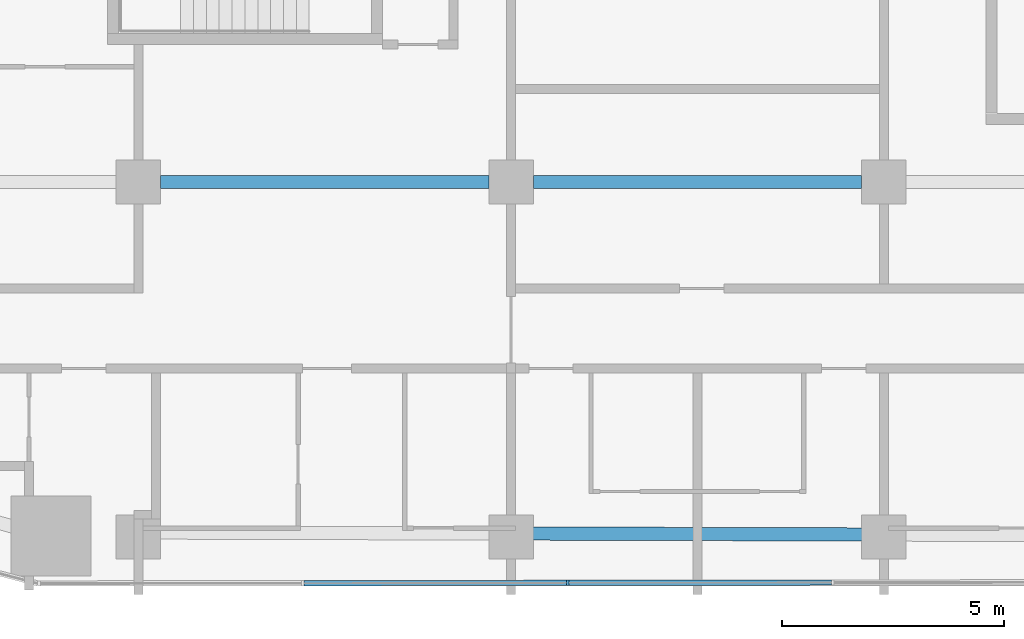
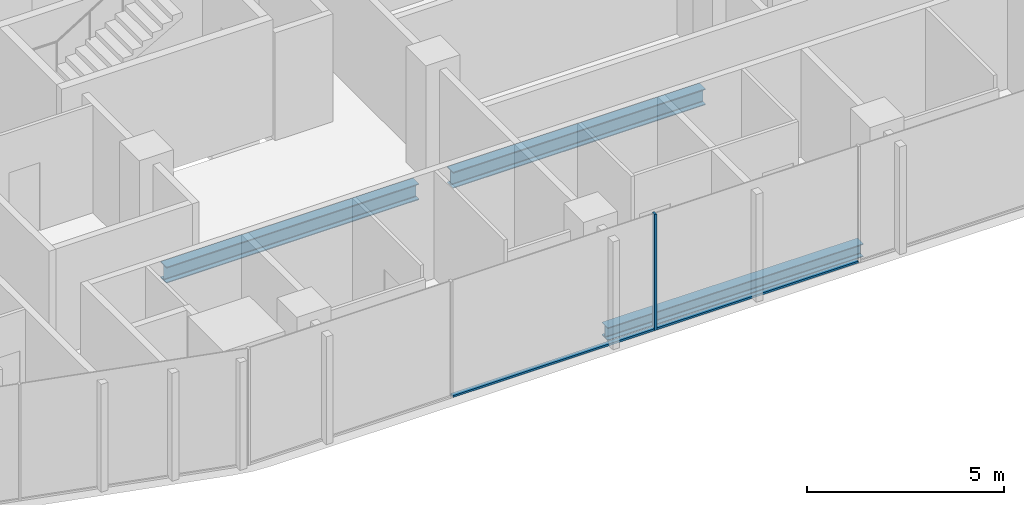
# One storey, part 3 of 26: 3 beams, 3 members, 1 element without a shape of its own.
"""IFC4 building model written with IfcOpenShell, lengths in metres."""

from ifc_helpers import new_model, si_unit, direction, frame, origin, origin_2d, place, context, subcontext, project, spatial, rectangle, i_section, extrude, material, layer, layer_set, material_profile, profile_set, type_object, element, aggregate, save


model = new_model("IFC4")

# Units and contexts
model_context = context("Model", 3, precision=1e-05, world=origin(), true_north=direction((0.0, 1.0)))
body_context = subcontext(model_context, "Body", "Model", "MODEL_VIEW")
ifc_project = project(units=[si_unit("LENGTHUNIT", "METRE"), si_unit("AREAUNIT", "SQUARE_METRE"), si_unit("VOLUMEUNIT", "CUBIC_METRE"), si_unit("PLANEANGLEUNIT", "RADIAN"), si_unit("MASSUNIT", "GRAM", prefix="KILO")], contexts=[model_context])

# Site, building, storey
site_placement = place(None, origin())
site = spatial("IfcSite", under=ifc_project, at=site_placement, CompositionType="ELEMENT")
building_placement = place(site_placement, origin())
building = spatial("IfcBuilding", under=site, at=building_placement, Name="Marenta Gate Hotel Tower", CompositionType="ELEMENT")
storey_placement = place(building_placement, frame((0.0, 0.0, 79.699951171875)))
storey = spatial("IfcBuildingStorey", under=building, at=storey_placement, Name="L18", CompositionType="ELEMENT", Elevation=79.699951171875)

# Beams
ifc_material_1 = material(Name="Steel S355", Category="steel")
ifc_material_profile_1 = material_profile(ifc_material_1, i_section(OverallWidth=0.300048828125, OverallDepth=0.39990234375, WebThickness=0.013427734375, FlangeThickness=0.02392578125, FilletRadius=0.027099609375, at=origin_2d()), Name="HEB 400")
ifc_profile_set_1 = profile_set([ifc_material_profile_1], Name="Steel S355")
beam_type_1 = type_object("IfcBeamType", Name="Edge beam HEB 400", PredefinedType="SPANDREL", material=ifc_profile_set_1)
beam_1_placement = place(storey_placement, frame((3.739990234375, -16.3427734375, -0.4599609375), z_axis=(-0.99999624158, 0.002741683018, 0.0), x_axis=(-0.002741683018, -0.99999624158, 0.0)))
element("IfcBeam", 1, at=beam_1_placement, inside=storey, type_object=beam_type_1, Name="L18-EB-33", PredefinedType="SPANDREL", context=body_context, shape_type="SweptSolid", body=[
    extrude(i_section(OverallWidth=0.300048828125, OverallDepth=0.39990234375, WebThickness=0.013427734375, FlangeThickness=0.02392578125, FilletRadius=0.027099609375, at=origin_2d()), origin(), (0.0, 0.0, 1.0), 7.47998046875),
])
ifc_material_2 = material(Name="Steel S355", Category="steel")
ifc_material_profile_2 = material_profile(ifc_material_2, i_section(OverallWidth=0.300048828125, OverallDepth=0.5, WebThickness=0.014404296875, FlangeThickness=0.028076171875, FilletRadius=0.027099609375, at=origin_2d()), Name="HEB 500")
ifc_profile_set_2 = profile_set([ifc_material_profile_2], Name="Steel S355")
beam_type_2 = type_object("IfcBeamType", Name="Girder HEB 500", PredefinedType="BEAM", material=ifc_profile_set_2)
beam_2_placement = place(storey_placement, frame((-12.10009765625, -8.39990234375, -0.510009765625), z_axis=(1.0, 0.0, 0.0), x_axis=(0.0, 1.0, 0.0)))
element("IfcBeam", 2, at=beam_2_placement, inside=storey, type_object=beam_type_2, Name="L18-GD-3", PredefinedType="BEAM", context=body_context, shape_type="SweptSolid", body=[
    extrude(i_section(OverallWidth=0.300048828125, OverallDepth=0.5, WebThickness=0.014404296875, FlangeThickness=0.028076171875, FilletRadius=0.027099609375, at=origin_2d()), origin(), (0.0, 0.0, 1.0), 7.400146484375),
])
beam_3_placement = place(storey_placement, frame((-3.699951171875, -8.39990234375, -0.510009765625), z_axis=(1.0, 0.0, 0.0), x_axis=(0.0, 1.0, 0.0)))
element("IfcBeam", 3, at=beam_3_placement, inside=storey, type_object=beam_type_2, Name="L18-GD-4", PredefinedType="BEAM", context=body_context, shape_type="SweptSolid", body=[
    extrude(i_section(OverallWidth=0.300048828125, OverallDepth=0.5, WebThickness=0.014404296875, FlangeThickness=0.028076171875, FilletRadius=0.027099609375, at=origin_2d()), origin(), (0.0, 0.0, 1.0), 7.39990234375),
])

# Curtain wall, members
ifc_material_3 = material(Name="Tinted insulated glass in bronze anodised frame", Category="glass")
ifc_layer = layer(ifc_material_3, 0.1201171875)
ifc_layer_set = layer_set([ifc_layer], Name="Tinted insulated glass in bronze anodised frame")
curtain_wall_type = type_object("IfcCurtainWallType", Name="Tower unitised curtain wall CW1", PredefinedType="NOTDEFINED", material=ifc_layer_set)
curtain_wall_placement = place(storey_placement, origin())
curtain_wall = element("IfcCurtainWall", 4, at=curtain_wall_placement, inside=storey, type_object=curtain_wall_type, Name="CW1 run G07", PredefinedType="NOTDEFINED")
ifc_material_4 = material(Name="Bronze anodised aluminium", Category="aluminium")
ifc_material_profile_3 = material_profile(ifc_material_4, rectangle(XDim=0.1201171875, YDim=0.06005859375, at=origin_2d()), Name="Mullion CW1 60x120 bronze anodised aluminium")
ifc_profile_set_3 = profile_set([ifc_material_profile_3], Name="Bronze anodised aluminium")
member_type_1 = type_object("IfcMemberType", Name="Mullion CW1 60x120 bronze anodised aluminium", PredefinedType="MULLION", material=ifc_profile_set_3)
member_1_placement = place(storey_placement, frame((-2.9248046875, -17.433837890625, 0.0), z_axis=(0.0, 0.0, 1.0), x_axis=(-0.001161921639, 0.999999324969, 0.0)))
member_1 = element("IfcMember", 5, at=member_1_placement, type_object=member_type_1, Name="CW1 mullion 3", PredefinedType="MULLION", context=body_context, shape_type="SweptSolid", body=[
    extrude(rectangle(XDim=0.1201171875, YDim=0.06005859375, at=origin_2d()), origin(), (0.0, 0.0, 1.0), 3.60009765625),
])
ifc_material_5 = material(Name="Bronze anodised aluminium", Category="aluminium")
ifc_material_profile_4 = material_profile(ifc_material_5, rectangle(XDim=0.1201171875, YDim=0.06005859375, at=origin_2d()), Name="Transom CW1 60x120 bronze anodised aluminium")
ifc_profile_set_4 = profile_set([ifc_material_profile_4], Name="Bronze anodised aluminium")
member_type_2 = type_object("IfcMemberType", Name="Transom CW1 60x120 bronze anodised aluminium", PredefinedType="USERDEFINED", material=ifc_profile_set_4)
member_2_placement = place(storey_placement, frame((-8.86767578125, -17.44091796875, 0.030029296875), z_axis=(0.999999283109, 0.001197406136, 0.0), x_axis=(-0.001197406136, 0.999999283109, 0.0)))
member_2 = element("IfcMember", 6, at=member_2_placement, type_object=member_type_2, Name="CW1 transom 2.1", ObjectType="TRANSOM", PredefinedType="USERDEFINED", context=body_context, shape_type="SweptSolid", body=[
    extrude(rectangle(XDim=0.1201171875, YDim=0.06005859375, at=origin_2d()), origin(), (0.0, 0.0, 1.0), 5.912841796875),
])
member_3_placement = place(storey_placement, frame((-2.894775390625, -17.433837890625, 0.030029296875), z_axis=(0.999999331697, 0.001156116326, 0.0), x_axis=(-0.001156116326, 0.999999331697, 0.0)))
member_3 = element("IfcMember", 7, at=member_3_placement, type_object=member_type_2, Name="CW1 transom 3.1", ObjectType="TRANSOM", PredefinedType="USERDEFINED", context=body_context, shape_type="SweptSolid", body=[
    extrude(rectangle(XDim=0.1201171875, YDim=0.06005859375, at=origin_2d()), origin(), (0.0, 0.0, 1.0), 5.912841796875),
])
aggregate(curtain_wall, [member_1, member_2, member_3])

save(model, "model.ifc")
